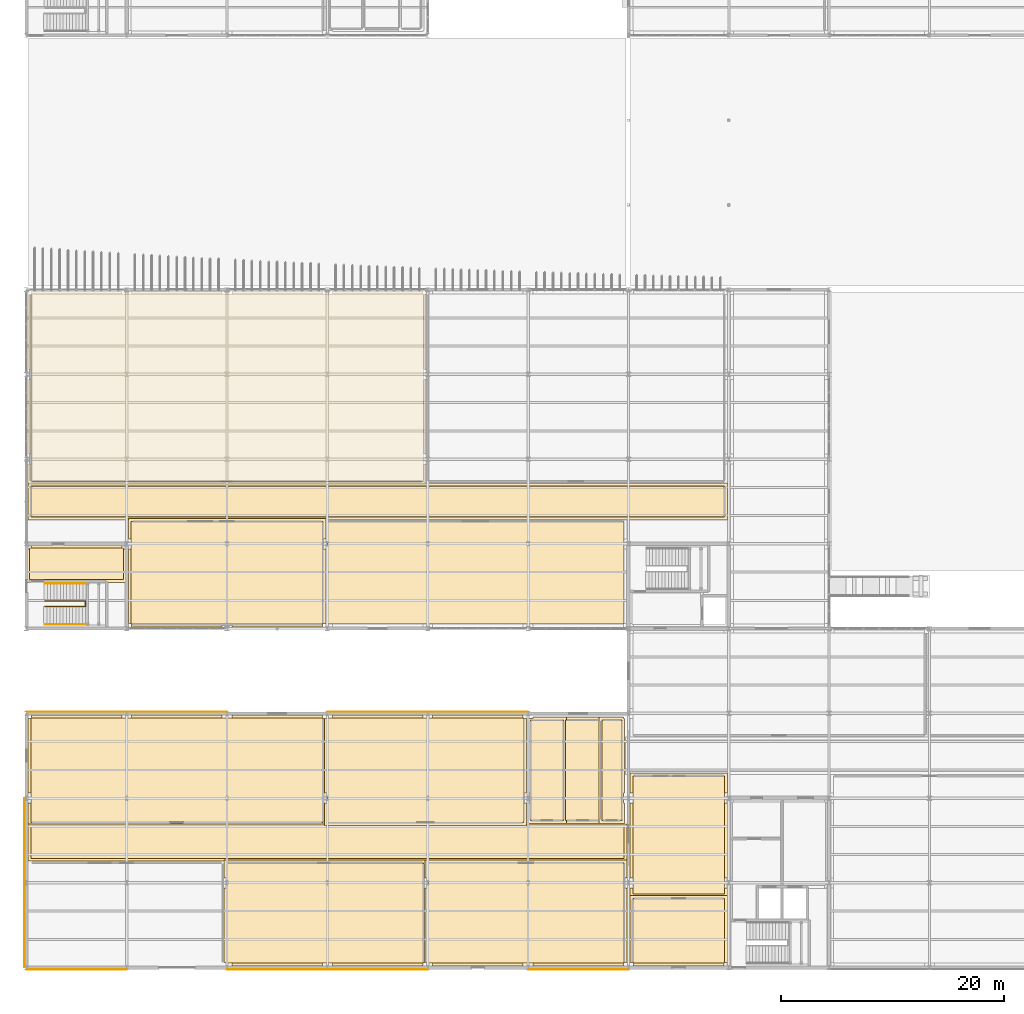
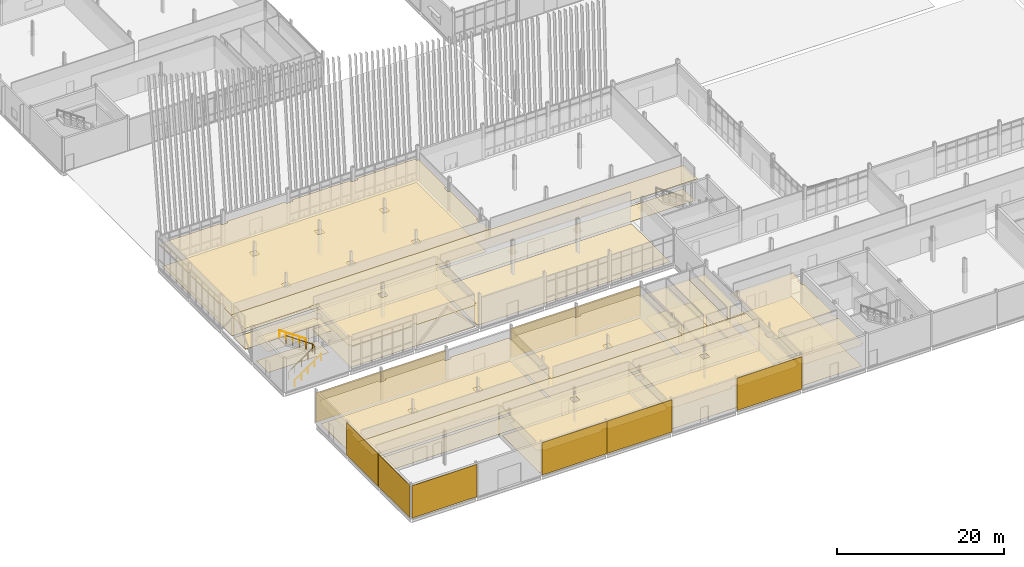
# One storey, part 152 of 161: 39 coverings, 3 railings.
"""IFC4 building model written with IfcOpenShell, lengths in metres."""

from ifc_helpers import new_model, si_unit, direction, frame, origin, origin_2d, place, context, subcontext, project, spatial, polyline, rectangle, circle, outline, extrude, material, layer, layer_set, type_object, element, save


model = new_model("IFC4")

# Units and contexts
model_context = context("Model", 3, precision=1e-05, world=origin(), true_north=direction((0.0, 1.0)))
body_context = subcontext(model_context, "Body", "Model", "MODEL_VIEW")
ifc_project = project(units=[si_unit("LENGTHUNIT", "METRE"), si_unit("AREAUNIT", "SQUARE_METRE"), si_unit("VOLUMEUNIT", "CUBIC_METRE"), si_unit("PLANEANGLEUNIT", "RADIAN"), si_unit("MASSUNIT", "GRAM", prefix="KILO")], contexts=[model_context])

# Site, building, storey
site_placement = place(None, origin())
site = spatial("IfcSite", under=ifc_project, at=site_placement, CompositionType="ELEMENT")
building_placement = place(site_placement, origin())
building = spatial("IfcBuilding", under=site, at=building_placement, Name="Caisbarro Railhouse Central Library", CompositionType="ELEMENT")
storey_placement = place(building_placement, origin())
storey = spatial("IfcBuildingStorey", under=building, at=storey_placement, Name="L00", CompositionType="ELEMENT", Elevation=0.0)

# Coverings
ifc_material_1 = material(Name="Vertical ribbed zinc-aluminium metal panel", Category="aluminium")
ifc_layer_1 = layer(ifc_material_1, 0.0419921875, Name="Vertical ribbed zinc-aluminium metal panel")
ifc_layer_set_1 = layer_set([ifc_layer_1], Name="Vertical ribbed zinc-aluminium metal panel")
covering_type_1 = type_object("IfcCoveringType", Name="CLD-MTL01", PredefinedType="CLADDING", material=ifc_layer_set_1)
covering_1_placement = place(storey_placement, frame((4.5, -0.1650390625, 0.02978515625), z_axis=(0.0, 0.0, 1.0), x_axis=(1.0, 0.0, 0.0)))
element("IfcCovering", 1, at=covering_1_placement, inside=storey, type_object=covering_type_1, Name="MTL01 facade cladding L00-001", PredefinedType="CLADDING", context=body_context, shape_type="SweptSolid", body=[
    extrude(rectangle(XDim=8.9599609375, YDim=0.0419921875, at=origin_2d()), origin(), (0.0, 0.0, 1.0), 4.739990234375),
])
for number, where, z_axis, x_axis, name in (
    (2, (4.5, 22.945068359375, 0.030029296875), (0.0, 0.0, 1.0), (1.0, 0.0, 0.0), "MTL01 facade cladding L00-002"),
    (3, (13.5, 22.945068359375, 0.030029296875), (0.0, 0.0, 1.0), (1.0, 0.0, 0.0), "MTL01 facade cladding L00-003"),
):
    element("IfcCovering", number, at=place(storey_placement, frame(where, z_axis=z_axis, x_axis=x_axis)), inside=storey, type_object=covering_type_1, Name=name, PredefinedType="CLADDING", context=body_context, shape_type="SweptSolid", body=[
        extrude(rectangle(XDim=8.9599609375, YDim=0.0419921875, at=origin_2d()), origin(), (0.0, 0.0, 1.0), 4.31103515625),
    ])
for number, where, z_axis, x_axis, name in (
    (4, (22.5, -0.1650390625, 0.02978515625), (0.0, 0.0, 1.0), (1.0, 0.0, 0.0), "MTL01 facade cladding L00-004"),
    (5, (31.5, -0.1650390625, 0.02978515625), (0.0, 0.0, 1.0), (1.0, 0.0, 0.0), "MTL01 facade cladding L00-005"),
):
    element("IfcCovering", number, at=place(storey_placement, frame(where, z_axis=z_axis, x_axis=x_axis)), inside=storey, type_object=covering_type_1, Name=name, PredefinedType="CLADDING", context=body_context, shape_type="SweptSolid", body=[
        extrude(rectangle(XDim=8.9599609375, YDim=0.0419921875, at=origin_2d()), origin(), (0.0, 0.0, 1.0), 4.739990234375),
    ])
for number, where, z_axis, x_axis, name in (
    (6, (31.5, 22.945068359375, 0.030029296875), (0.0, 0.0, 1.0), (1.0, 0.0, 0.0), "MTL01 facade cladding L00-006"),
    (7, (40.5, 22.945068359375, 0.030029296875), (0.0, 0.0, 1.0), (1.0, 0.0, 0.0), "MTL01 facade cladding L00-007"),
):
    element("IfcCovering", number, at=place(storey_placement, frame(where, z_axis=z_axis, x_axis=x_axis)), inside=storey, type_object=covering_type_1, Name=name, PredefinedType="CLADDING", context=body_context, shape_type="SweptSolid", body=[
        extrude(rectangle(XDim=8.9599609375, YDim=0.0419921875, at=origin_2d()), origin(), (0.0, 0.0, 1.0), 4.31103515625),
    ])
covering_2_placement = place(storey_placement, frame((49.5, -0.1650390625, 0.02978515625), z_axis=(0.0, 0.0, 1.0), x_axis=(1.0, 0.0, 0.0)))
element("IfcCovering", 8, at=covering_2_placement, inside=storey, type_object=covering_type_1, Name="MTL01 facade cladding L00-008", PredefinedType="CLADDING", context=body_context, shape_type="SweptSolid", body=[
    extrude(rectangle(XDim=8.9599609375, YDim=0.0419921875, at=origin_2d()), origin(), (0.0, 0.0, 1.0), 4.739990234375),
])
for number, where, z_axis, x_axis, name in (
    (9, (-0.155029296875, 3.800048828125, 0.02978515625), (0.0, 0.0, 1.0), (0.0, 1.0, 0.0), "MTL01 facade cladding L00-009"),
    (10, (-0.155029296875, 11.39990234375, 0.02978515625), (0.0, 0.0, 1.0), (0.0, 1.0, 0.0), "MTL01 facade cladding L00-010"),
):
    element("IfcCovering", number, at=place(storey_placement, frame(where, z_axis=z_axis, x_axis=x_axis)), inside=storey, type_object=covering_type_1, Name=name, PredefinedType="CLADDING", context=body_context, shape_type="SweptSolid", body=[
        extrude(rectangle(XDim=7.56005859375, YDim=0.0419921875, at=origin_2d()), origin(), (0.0, 0.0, 1.0), 4.739990234375),
    ])
ifc_material_2 = material(Name="Perforated mineral-fibre acoustic ceiling tile")
ifc_layer_2 = layer(ifc_material_2, 0.01806640625, Name="Perforated mineral-fibre acoustic ceiling tile")
ifc_layer_set_2 = layer_set([ifc_layer_2], Name="Perforated mineral-fibre acoustic ceiling tile")
covering_type_2 = type_object("IfcCoveringType", Name="COV-CL01", PredefinedType="CEILING", material=ifc_layer_set_2)
covering_3_placement = place(storey_placement, frame((0.0, 0.0, 3.25)))
element("IfcCovering", 11, at=covering_3_placement, inside=storey, type_object=covering_type_2, Name="CL01 acoustic ceiling Stair Lobby K6", PredefinedType="CEILING", context=body_context, shape_type="SweptSolid", body=[
    extrude(outline(polyline([(0.43994140625, 37.56005859375), (0.43994140625, 37.909912109375), (8.56005859375, 37.909912109375), (8.56005859375, 37.56005859375), (8.9599609375, 37.56005859375), (8.9599609375, 34.5400390625), (0.0400390625, 34.5400390625), (0.0400390625, 37.56005859375), (0.43994140625, 37.56005859375)])), origin(), (0.0, 0.0, 1.0), 0.01806640625),
])
covering_4_placement = place(storey_placement, frame((0.0, 0.0, 3.25)))
element("IfcCovering", 12, at=covering_4_placement, inside=storey, type_object=covering_type_2, Name="CL01 acoustic ceiling Book Sorting and Returned-Items Hall", PredefinedType="CEILING", context=body_context, shape_type="SweptSolid", body=[
    extrude(outline(polyline([(26.56005859375, 0.43994140625), (26.56005859375, 0.139892578125), (18.43994140625, 0.139892578125), (18.43994140625, 0.43994140625), (17.739990234375, 0.43994140625), (17.739990234375, 7.159912109375), (18.43994140625, 7.159912109375), (18.43994140625, 8.0400390625), (17.739990234375, 8.0400390625), (17.739990234375, 9.659912109375), (35.860107421875, 9.659912109375), (35.860107421875, 8.0400390625), (35.56005859375, 8.0400390625), (35.56005859375, 7.159912109375), (35.860107421875, 7.159912109375), (35.860107421875, 0.43994140625), (35.56005859375, 0.43994140625), (35.56005859375, 0.139892578125), (27.43994140625, 0.139892578125), (27.43994140625, 0.43994140625), (26.56005859375, 0.43994140625)]), holes=[polyline([(26.56005859375, 7.159912109375), (27.43994140625, 7.159912109375), (27.43994140625, 8.0400390625), (26.56005859375, 8.0400390625), (26.56005859375, 7.159912109375)])]), origin(), (0.0, 0.0, 1.0), 0.01806640625),
])
covering_5_placement = place(storey_placement, frame((0.0, 0.0, 3.25)))
element("IfcCovering", 13, at=covering_5_placement, inside=storey, type_object=covering_type_2, Name="CL01 acoustic ceiling Acquisitions and Cataloguing Office", PredefinedType="CEILING", context=body_context, shape_type="SweptSolid", body=[
    extrude(outline(polyline([(44.56005859375, 0.43994140625), (44.56005859375, 0.139892578125), (36.43994140625, 0.139892578125), (36.43994140625, 0.43994140625), (35.739990234375, 0.43994140625), (35.739990234375, 7.159912109375), (36.43994140625, 7.159912109375), (36.43994140625, 8.0400390625), (35.739990234375, 8.0400390625), (35.739990234375, 9.659912109375), (53.860107421875, 9.659912109375), (53.860107421875, 8.0400390625), (53.56005859375, 8.0400390625), (53.56005859375, 7.159912109375), (53.860107421875, 7.159912109375), (53.860107421875, 0.43994140625), (53.56005859375, 0.43994140625), (53.56005859375, 0.139892578125), (45.43994140625, 0.139892578125), (45.43994140625, 0.43994140625), (44.56005859375, 0.43994140625)]), holes=[polyline([(44.56005859375, 7.159912109375), (45.43994140625, 7.159912109375), (45.43994140625, 8.0400390625), (44.56005859375, 8.0400390625), (44.56005859375, 7.159912109375)])]), origin(), (0.0, 0.0, 1.0), 0.01806640625),
])
covering_6_placement = place(storey_placement, frame((0.0, 0.0, 3.25)))
element("IfcCovering", 14, at=covering_6_placement, inside=storey, type_object=covering_type_2, Name="CL01 acoustic ceiling Staff Ground Corridor West", PredefinedType="CEILING", context=body_context, shape_type="SweptSolid", body=[
    extrude(outline(polyline([(0.139892578125, 9.5400390625), (0.139892578125, 12.860107421875), (53.860107421875, 12.860107421875), (53.860107421875, 9.5400390625), (0.139892578125, 9.5400390625)])), origin(), (0.0, 0.0, 1.0), 0.01806640625),
])
covering_7_placement = place(storey_placement, frame((0.0, 0.0, 3.25)))
element("IfcCovering", 15, at=covering_7_placement, inside=storey, type_object=covering_type_2, Name="CL01 acoustic ceiling Closed Archival Stacks West", PredefinedType="CEILING", context=body_context, shape_type="SweptSolid", body=[
    extrude(outline(polyline([(8.56005859375, 22.659912109375), (8.56005859375, 22.360107421875), (9.43994140625, 22.360107421875), (9.43994140625, 22.659912109375), (17.56005859375, 22.659912109375), (17.56005859375, 22.360107421875), (18.43994140625, 22.360107421875), (18.43994140625, 22.659912109375), (26.56005859375, 22.659912109375), (26.56005859375, 22.360107421875), (26.860107421875, 22.360107421875), (26.860107421875, 15.639892578125), (26.56005859375, 15.639892578125), (26.56005859375, 14.760009765625), (26.860107421875, 14.760009765625), (26.860107421875, 12.739990234375), (0.139892578125, 12.739990234375), (0.139892578125, 14.760009765625), (0.43994140625, 14.760009765625), (0.43994140625, 15.639892578125), (0.139892578125, 15.639892578125), (0.139892578125, 22.360107421875), (0.43994140625, 22.360107421875), (0.43994140625, 22.659912109375), (8.56005859375, 22.659912109375)]), holes=[polyline([(8.56005859375, 15.639892578125), (8.56005859375, 14.760009765625), (9.43994140625, 14.760009765625), (9.43994140625, 15.639892578125), (8.56005859375, 15.639892578125)]), polyline([(18.43994140625, 14.760009765625), (18.43994140625, 15.639892578125), (17.56005859375, 15.639892578125), (17.56005859375, 14.760009765625), (18.43994140625, 14.760009765625)])]), origin(), (0.0, 0.0, 1.0), 0.01806640625),
])
covering_8_placement = place(storey_placement, frame((0.0, 0.0, 3.25)))
element("IfcCovering", 16, at=covering_8_placement, inside=storey, type_object=covering_type_2, Name="CL01 acoustic ceiling Staff Cataloguing Workroom", PredefinedType="CEILING", context=body_context, shape_type="SweptSolid", body=[
    extrude(outline(polyline([(27.43994140625, 22.360107421875), (27.43994140625, 22.659912109375), (35.56005859375, 22.659912109375), (35.56005859375, 22.360107421875), (36.43994140625, 22.360107421875), (36.43994140625, 22.659912109375), (44.56005859375, 22.659912109375), (44.56005859375, 22.360107421875), (44.860107421875, 22.360107421875), (44.860107421875, 15.639892578125), (44.56005859375, 15.639892578125), (44.56005859375, 14.760009765625), (44.860107421875, 14.760009765625), (44.860107421875, 12.739990234375), (26.739990234375, 12.739990234375), (26.739990234375, 14.760009765625), (27.43994140625, 14.760009765625), (27.43994140625, 15.639892578125), (26.739990234375, 15.639892578125), (26.739990234375, 22.360107421875), (27.43994140625, 22.360107421875)]), holes=[polyline([(36.43994140625, 14.760009765625), (36.43994140625, 15.639892578125), (35.56005859375, 15.639892578125), (35.56005859375, 14.760009765625), (36.43994140625, 14.760009765625)])]), origin(), (0.0, 0.0, 1.0), 0.01806640625),
])
covering_9_placement = place(storey_placement, frame((0.0, 0.0, 3.25)))
element("IfcCovering", 17, at=covering_9_placement, inside=storey, type_object=covering_type_2, Name="CL01 acoustic ceiling Male WC L00-W", PredefinedType="CEILING", context=body_context, shape_type="SweptSolid", body=[
    extrude(outline(polyline([(45.43994140625, 14.760009765625), (45.43994140625, 15.639892578125), (44.93994140625, 15.639892578125), (44.93994140625, 22.360107421875), (45.43994140625, 22.360107421875), (45.43994140625, 22.4599609375), (48.427978515625, 22.4599609375), (48.427978515625, 12.93994140625), (44.93994140625, 12.93994140625), (44.93994140625, 14.760009765625), (45.43994140625, 14.760009765625)])), origin(), (0.0, 0.0, 1.0), 0.01806640625),
])
covering_10_placement = place(storey_placement, frame((0.0, 0.0, 3.25)))
element("IfcCovering", 18, at=covering_10_placement, inside=storey, type_object=covering_type_2, Name="CL01 acoustic ceiling Female WC L00-W", PredefinedType="CEILING", context=body_context, shape_type="SweptSolid", body=[
    extrude(outline(polyline([(48.10791015625, 12.93994140625), (48.10791015625, 22.4599609375), (51.696044921875, 22.4599609375), (51.696044921875, 12.93994140625), (48.10791015625, 12.93994140625)])), origin(), (0.0, 0.0, 1.0), 0.01806640625),
])
covering_11_placement = place(storey_placement, frame((0.0, 0.0, 3.25)))
element("IfcCovering", 19, at=covering_11_placement, inside=storey, type_object=covering_type_2, Name="CL01 acoustic ceiling Accessible WC L00-W", PredefinedType="CEILING", context=body_context, shape_type="SweptSolid", body=[
    extrude(outline(polyline([(53.56005859375, 22.4599609375), (53.56005859375, 22.360107421875), (53.659912109375, 22.360107421875), (53.659912109375, 15.639892578125), (53.56005859375, 15.639892578125), (53.56005859375, 14.760009765625), (53.659912109375, 14.760009765625), (53.659912109375, 12.93994140625), (51.3759765625, 12.93994140625), (51.3759765625, 22.4599609375), (53.56005859375, 22.4599609375)])), origin(), (0.0, 0.0, 1.0), 0.01806640625),
])
covering_12_placement = place(storey_placement, frame((0.0, 0.0, 3.25)))
element("IfcCovering", 20, at=covering_12_placement, inside=storey, type_object=covering_type_2, Name="CL01 acoustic ceiling Fire Command Centre", PredefinedType="CEILING", context=body_context, shape_type="SweptSolid", body=[
    extrude(outline(polyline([(62.860107421875, 6.4599609375), (62.860107421875, 0.43994140625), (62.56005859375, 0.43994140625), (62.56005859375, 0.139892578125), (54.43994140625, 0.139892578125), (54.43994140625, 0.43994140625), (54.139892578125, 0.43994140625), (54.139892578125, 6.4599609375), (62.860107421875, 6.4599609375)])), origin(), (0.0, 0.0, 1.0), 0.01806640625),
])
covering_13_placement = place(storey_placement, frame((0.0, 0.0, 3.25)))
element("IfcCovering", 21, at=covering_13_placement, inside=storey, type_object=covering_type_2, Name="CL01 acoustic ceiling Security and BMS Control Room", PredefinedType="CEILING", context=body_context, shape_type="SweptSolid", body=[
    extrude(outline(polyline([(54.139892578125, 8.0400390625), (54.139892578125, 14.760009765625), (54.43994140625, 14.760009765625), (54.43994140625, 15.639892578125), (54.139892578125, 15.639892578125), (54.139892578125, 17.4599609375), (62.860107421875, 17.4599609375), (62.860107421875, 15.639892578125), (62.56005859375, 15.639892578125), (62.56005859375, 14.760009765625), (62.860107421875, 14.760009765625), (62.860107421875, 8.0400390625), (62.56005859375, 8.0400390625), (62.56005859375, 7.159912109375), (62.860107421875, 7.159912109375), (62.860107421875, 6.340087890625), (54.139892578125, 6.340087890625), (54.139892578125, 7.159912109375), (54.43994140625, 7.159912109375), (54.43994140625, 8.0400390625), (54.139892578125, 8.0400390625)])), origin(), (0.0, 0.0, 1.0), 0.01806640625),
])
covering_14_placement = place(storey_placement, frame((0.0, 0.0, 3.25)))
element("IfcCovering", 22, at=covering_14_placement, inside=storey, type_object=covering_type_2, Name="CL01 acoustic ceiling Main Hall Concourse Corridor", PredefinedType="CEILING", context=body_context, shape_type="SweptSolid", body=[
    extrude(outline(polyline([(0.139892578125, 40.139892578125), (0.139892578125, 43.4599609375), (62.860107421875, 43.4599609375), (62.860107421875, 40.139892578125), (0.139892578125, 40.139892578125)])), origin(), (0.0, 0.0, 1.0), 0.01806640625),
])
covering_15_placement = place(storey_placement, frame((0.0, 0.0, 3.25)))
element("IfcCovering", 23, at=covering_15_placement, inside=storey, type_object=covering_type_2, Name="CL01 acoustic ceiling Periodicals and Newspaper Lounge", PredefinedType="CEILING", context=body_context, shape_type="SweptSolid", body=[
    extrude(outline(polyline([(9.43994140625, 60.659912109375), (17.56005859375, 60.659912109375), (17.56005859375, 60.360107421875), (18.43994140625, 60.360107421875), (18.43994140625, 60.659912109375), (26.56005859375, 60.659912109375), (26.56005859375, 60.360107421875), (27.43994140625, 60.360107421875), (27.43994140625, 60.659912109375), (35.56005859375, 60.659912109375), (35.56005859375, 60.360107421875), (35.860107421875, 60.360107421875), (35.860107421875, 53.639892578125), (35.56005859375, 53.639892578125), (35.56005859375, 52.760009765625), (35.860107421875, 52.760009765625), (35.860107421875, 46.0400390625), (35.56005859375, 46.0400390625), (35.56005859375, 45.159912109375), (35.860107421875, 45.159912109375), (35.860107421875, 43.340087890625), (0.139892578125, 43.340087890625), (0.139892578125, 45.159912109375), (0.43994140625, 45.159912109375), (0.43994140625, 46.0400390625), (0.139892578125, 46.0400390625), (0.139892578125, 52.760009765625), (0.43994140625, 52.760009765625), (0.43994140625, 53.639892578125), (0.139892578125, 53.639892578125), (0.139892578125, 60.360107421875), (0.43994140625, 60.360107421875), (0.43994140625, 60.659912109375), (8.56005859375, 60.659912109375), (8.56005859375, 60.360107421875), (9.43994140625, 60.360107421875), (9.43994140625, 60.659912109375)]), holes=[polyline([(9.43994140625, 45.159912109375), (9.43994140625, 46.0400390625), (8.56005859375, 46.0400390625), (8.56005859375, 45.159912109375), (9.43994140625, 45.159912109375)]), polyline([(8.56005859375, 52.760009765625), (9.43994140625, 52.760009765625), (9.43994140625, 53.639892578125), (8.56005859375, 53.639892578125), (8.56005859375, 52.760009765625)]), polyline([(18.43994140625, 46.0400390625), (17.56005859375, 46.0400390625), (17.56005859375, 45.159912109375), (18.43994140625, 45.159912109375), (18.43994140625, 46.0400390625)]), polyline([(18.43994140625, 52.760009765625), (18.43994140625, 53.639892578125), (17.56005859375, 53.639892578125), (17.56005859375, 52.760009765625), (18.43994140625, 52.760009765625)]), polyline([(26.56005859375, 46.0400390625), (26.56005859375, 45.159912109375), (27.43994140625, 45.159912109375), (27.43994140625, 46.0400390625), (26.56005859375, 46.0400390625)]), polyline([(27.43994140625, 53.639892578125), (26.56005859375, 53.639892578125), (26.56005859375, 52.760009765625), (27.43994140625, 52.760009765625), (27.43994140625, 53.639892578125)])]), origin(), (0.0, 0.0, 1.0), 0.01806640625),
])
ifc_material_3 = material(Name="Slatted acoustic timber baffle ceiling", Category="wood")
ifc_layer_3 = layer(ifc_material_3, 0.031982421875, Name="Slatted acoustic timber baffle ceiling")
ifc_layer_set_3 = layer_set([ifc_layer_3], Name="Slatted acoustic timber baffle ceiling")
covering_type_3 = type_object("IfcCoveringType", Name="COV-CL02", PredefinedType="CEILING", material=ifc_layer_set_3)
covering_16_placement = place(storey_placement, frame((0.0, 0.0, 3.25)))
element("IfcCovering", 24, at=covering_16_placement, inside=storey, type_object=covering_type_3, Name="CL02 acoustic ceiling Braille and Accessible Media Reading Room", PredefinedType="CEILING", context=body_context, shape_type="SweptSolid", body=[
    extrude(outline(polyline([(17.56005859375, 30.840087890625), (17.56005859375, 30.5400390625), (9.43994140625, 30.5400390625), (9.43994140625, 30.840087890625), (9.139892578125, 30.840087890625), (9.139892578125, 37.56005859375), (9.43994140625, 37.56005859375), (9.43994140625, 38.43994140625), (9.139892578125, 38.43994140625), (9.139892578125, 40.260009765625), (26.860107421875, 40.260009765625), (26.860107421875, 38.43994140625), (26.56005859375, 38.43994140625), (26.56005859375, 37.56005859375), (26.860107421875, 37.56005859375), (26.860107421875, 30.840087890625), (26.56005859375, 30.840087890625), (26.56005859375, 30.5400390625), (18.43994140625, 30.5400390625), (18.43994140625, 30.840087890625), (17.56005859375, 30.840087890625)]), holes=[polyline([(17.56005859375, 37.56005859375), (18.43994140625, 37.56005859375), (18.43994140625, 38.43994140625), (17.56005859375, 38.43994140625), (17.56005859375, 37.56005859375)])]), origin(), (0.0, 0.0, 1.0), 0.031982421875),
])
ifc_material_4 = material(Name="Polished cementitious terrazzo flooring")
ifc_layer_4 = layer(ifc_material_4, 0.02197265625, Name="Polished cementitious terrazzo flooring")
ifc_layer_set_4 = layer_set([ifc_layer_4], Name="Polished cementitious terrazzo flooring")
covering_type_4 = type_object("IfcCoveringType", Name="COV-FL01", PredefinedType="FLOORING", material=ifc_layer_set_4)
covering_17_placement = place(storey_placement, origin())
element("IfcCovering", 25, at=covering_17_placement, inside=storey, type_object=covering_type_4, Name="FL01 flooring Stair Lobby K6", PredefinedType="FLOORING", context=body_context, shape_type="SweptSolid", body=[
    extrude(outline(polyline([(0.300048828125, 34.800048828125), (8.699951171875, 34.800048828125), (8.699951171875, 37.64990234375), (0.300048828125, 37.64990234375), (0.300048828125, 34.800048828125)])), origin(), (0.0, 0.0, 1.0), 0.02197265625),
])
covering_18_placement = place(storey_placement, origin())
element("IfcCovering", 26, at=covering_18_placement, inside=storey, type_object=covering_type_4, Name="FL01 flooring Book Sorting and Returned-Items Hall", PredefinedType="FLOORING", context=body_context, shape_type="SweptSolid", body=[
    extrude(outline(polyline([(18.0, 0.39990234375), (35.60009765625, 0.39990234375), (35.60009765625, 9.39990234375), (18.0, 9.39990234375), (18.0, 0.39990234375)])), origin(), (0.0, 0.0, 1.0), 0.02197265625),
])
covering_19_placement = place(storey_placement, origin())
element("IfcCovering", 27, at=covering_19_placement, inside=storey, type_object=covering_type_4, Name="FL01 flooring Staff Ground Corridor West", PredefinedType="FLOORING", context=body_context, shape_type="SweptSolid", body=[
    extrude(outline(polyline([(0.39990234375, 9.800048828125), (53.60009765625, 9.800048828125), (53.60009765625, 12.60009765625), (0.39990234375, 12.60009765625), (0.39990234375, 9.800048828125)])), origin(), (0.0, 0.0, 1.0), 0.02197265625),
])
covering_20_placement = place(storey_placement, origin())
element("IfcCovering", 28, at=covering_20_placement, inside=storey, type_object=covering_type_4, Name="FL01 flooring Main Hall Concourse Corridor", PredefinedType="FLOORING", context=body_context, shape_type="SweptSolid", body=[
    extrude(outline(polyline([(0.39990234375, 40.39990234375), (62.60009765625, 40.39990234375), (62.60009765625, 43.199951171875), (0.39990234375, 43.199951171875), (0.39990234375, 40.39990234375)])), origin(), (0.0, 0.0, 1.0), 0.02197265625),
])
ifc_material_5 = material(Name="Heavy-duty acoustic linoleum flooring")
ifc_layer_5 = layer(ifc_material_5, 0.011962890625, Name="Heavy-duty acoustic linoleum flooring")
ifc_layer_set_5 = layer_set([ifc_layer_5], Name="Heavy-duty acoustic linoleum flooring")
covering_type_5 = type_object("IfcCoveringType", Name="COV-FL02", PredefinedType="FLOORING", material=ifc_layer_set_5)
covering_21_placement = place(storey_placement, origin())
element("IfcCovering", 29, at=covering_21_placement, inside=storey, type_object=covering_type_5, Name="FL02 flooring Acquisitions and Cataloguing Office", PredefinedType="FLOORING", context=body_context, shape_type="SweptSolid", body=[
    extrude(outline(polyline([(36.0, 0.39990234375), (53.60009765625, 0.39990234375), (53.60009765625, 9.39990234375), (36.0, 9.39990234375), (36.0, 0.39990234375)])), origin(), (0.0, 0.0, 1.0), 0.011962890625),
])
covering_22_placement = place(storey_placement, origin())
element("IfcCovering", 30, at=covering_22_placement, inside=storey, type_object=covering_type_5, Name="FL02 flooring Closed Archival Stacks West", PredefinedType="FLOORING", context=body_context, shape_type="SweptSolid", body=[
    extrude(outline(polyline([(0.39990234375, 13.0), (26.60009765625, 13.0), (26.60009765625, 22.39990234375), (0.39990234375, 22.39990234375), (0.39990234375, 13.0)])), origin(), (0.0, 0.0, 1.0), 0.011962890625),
])
covering_23_placement = place(storey_placement, origin())
element("IfcCovering", 31, at=covering_23_placement, inside=storey, type_object=covering_type_5, Name="FL02 flooring Staff Cataloguing Workroom", PredefinedType="FLOORING", context=body_context, shape_type="SweptSolid", body=[
    extrude(outline(polyline([(27.0, 13.0), (44.60009765625, 13.0), (44.60009765625, 22.39990234375), (27.0, 22.39990234375), (27.0, 13.0)])), origin(), (0.0, 0.0, 1.0), 0.011962890625),
])
covering_24_placement = place(storey_placement, origin())
element("IfcCovering", 32, at=covering_24_placement, inside=storey, type_object=covering_type_5, Name="FL02 flooring Male WC L00-W", PredefinedType="FLOORING", context=body_context, shape_type="SweptSolid", body=[
    extrude(outline(polyline([(45.199951171875, 13.199951171875), (48.16796875, 13.199951171875), (48.16796875, 22.199951171875), (45.199951171875, 22.199951171875), (45.199951171875, 13.199951171875)])), origin(), (0.0, 0.0, 1.0), 0.011962890625),
])
covering_25_placement = place(storey_placement, origin())
element("IfcCovering", 33, at=covering_25_placement, inside=storey, type_object=covering_type_5, Name="FL02 flooring Female WC L00-W", PredefinedType="FLOORING", context=body_context, shape_type="SweptSolid", body=[
    extrude(outline(polyline([(48.367919921875, 13.199951171875), (51.43603515625, 13.199951171875), (51.43603515625, 22.199951171875), (48.367919921875, 22.199951171875), (48.367919921875, 13.199951171875)])), origin(), (0.0, 0.0, 1.0), 0.011962890625),
])
covering_26_placement = place(storey_placement, origin())
element("IfcCovering", 34, at=covering_26_placement, inside=storey, type_object=covering_type_5, Name="FL02 flooring Accessible WC L00-W", PredefinedType="FLOORING", context=body_context, shape_type="SweptSolid", body=[
    extrude(outline(polyline([(51.635986328125, 13.199951171875), (53.39990234375, 13.199951171875), (53.39990234375, 22.199951171875), (51.635986328125, 22.199951171875), (51.635986328125, 13.199951171875)])), origin(), (0.0, 0.0, 1.0), 0.011962890625),
])
covering_27_placement = place(storey_placement, origin())
element("IfcCovering", 35, at=covering_27_placement, inside=storey, type_object=covering_type_5, Name="FL02 flooring Fire Command Centre", PredefinedType="FLOORING", context=body_context, shape_type="SweptSolid", body=[
    extrude(outline(polyline([(54.39990234375, 0.39990234375), (62.60009765625, 0.39990234375), (62.60009765625, 6.199951171875), (54.39990234375, 6.199951171875), (54.39990234375, 0.39990234375)])), origin(), (0.0, 0.0, 1.0), 0.011962890625),
])
covering_28_placement = place(storey_placement, origin())
element("IfcCovering", 36, at=covering_28_placement, inside=storey, type_object=covering_type_5, Name="FL02 flooring Security and BMS Control Room", PredefinedType="FLOORING", context=body_context, shape_type="SweptSolid", body=[
    extrude(outline(polyline([(54.39990234375, 6.60009765625), (62.60009765625, 6.60009765625), (62.60009765625, 17.199951171875), (54.39990234375, 17.199951171875), (54.39990234375, 6.60009765625)])), origin(), (0.0, 0.0, 1.0), 0.011962890625),
])
covering_29_placement = place(storey_placement, origin())
element("IfcCovering", 37, at=covering_29_placement, inside=storey, type_object=covering_type_5, Name="FL02 flooring Braille and Accessible Media Reading Room", PredefinedType="FLOORING", context=body_context, shape_type="SweptSolid", body=[
    extrude(outline(polyline([(9.39990234375, 30.800048828125), (26.60009765625, 30.800048828125), (26.60009765625, 40.0), (9.39990234375, 40.0), (9.39990234375, 30.800048828125)])), origin(), (0.0, 0.0, 1.0), 0.011962890625),
])
covering_30_placement = place(storey_placement, origin())
element("IfcCovering", 38, at=covering_30_placement, inside=storey, type_object=covering_type_5, Name="FL02 flooring Civic Exhibition Gallery", PredefinedType="FLOORING", context=body_context, shape_type="SweptSolid", body=[
    extrude(outline(polyline([(27.0, 30.800048828125), (53.60009765625, 30.800048828125), (53.60009765625, 40.0), (27.0, 40.0), (27.0, 30.800048828125)])), origin(), (0.0, 0.0, 1.0), 0.011962890625),
])
covering_31_placement = place(storey_placement, origin())
element("IfcCovering", 39, at=covering_31_placement, inside=storey, type_object=covering_type_5, Name="FL02 flooring Periodicals and Newspaper Lounge", PredefinedType="FLOORING", context=body_context, shape_type="SweptSolid", body=[
    extrude(outline(polyline([(0.39990234375, 43.60009765625), (35.60009765625, 43.60009765625), (35.60009765625, 60.39990234375), (0.39990234375, 60.39990234375), (0.39990234375, 43.60009765625)])), origin(), (0.0, 0.0, 1.0), 0.011962890625),
])

# Railings
ifc_material_6 = material(Name="Brushed stainless steel Grade 316", Category="steel")
railing_type_1 = type_object("IfcRailingType", Name="RLG-STR092", PredefinedType="HANDRAIL", material=ifc_material_6)
railing_1_placement = place(storey_placement, frame((1.64990234375, 30.7900390625, 0.0)))
element("IfcRailing", 40, at=railing_1_placement, inside=storey, type_object=railing_type_1, Name="Stair ST-06 Outer Handrail F1 L00", PredefinedType="HANDRAIL", context=body_context, shape_type="SweptSolid", body=[
    extrude(circle(Radius=0.02392578125, at=origin_2d()), frame((0.0, 0.0, 0.89599609375), z_axis=(0.824379387844, 0.0, 0.566037653251), x_axis=(0.0, 1.0, 0.0)), (0.0, 0.0, 1.0), 4.4521484375),
    extrude(circle(Radius=0.02099609375, at=origin_2d()), origin(), (0.0, 0.0, 1.0), 0.871826171875),
    extrude(circle(Radius=0.02099609375, at=origin_2d()), frame((0.91748046875, 0.0, 0.6298828125)), (0.0, 0.0, 1.0), 0.871826171875),
    extrude(circle(Radius=0.02099609375, at=origin_2d()), frame((1.8349609375, 0.0, 1.260009765625)), (0.0, 0.0, 1.0), 0.871826171875),
    extrude(circle(Radius=0.02099609375, at=origin_2d()), frame((2.752685546875, 0.0, 1.89013671875)), (0.0, 0.0, 1.0), 0.871826171875),
    extrude(circle(Radius=0.02099609375, at=origin_2d()), frame((3.670166015625, 0.0, 2.52001953125)), (0.0, 0.0, 1.0), 0.871826171875),
])
railing_2_placement = place(storey_placement, frame((5.320068359375, 34.4599609375, 2.52001953125)))
element("IfcRailing", 41, at=railing_2_placement, inside=storey, type_object=railing_type_1, Name="Stair ST-06 Outer Handrail F2 L00", PredefinedType="HANDRAIL", context=body_context, shape_type="SweptSolid", body=[
    extrude(circle(Radius=0.02392578125, at=origin_2d()), frame((0.0, 0.0, 0.89599609375), z_axis=(-0.824379387844, 0.0, 0.566037653251), x_axis=(0.0, -1.0, 0.0)), (0.0, 0.0, 1.0), 4.4521484375),
    extrude(circle(Radius=0.02099609375, at=origin_2d()), origin(), (0.0, 0.0, 1.0), 0.871826171875),
    extrude(circle(Radius=0.02099609375, at=origin_2d()), frame((-0.91748046875, 0.0, 0.6298828125)), (0.0, 0.0, 1.0), 0.871826171875),
    extrude(circle(Radius=0.02099609375, at=origin_2d()), frame((-1.8349609375, 0.0, 1.260009765625)), (0.0, 0.0, 1.0), 0.871826171875),
    extrude(circle(Radius=0.02099609375, at=origin_2d()), frame((-2.752685546875, 0.0, 1.89013671875)), (0.0, 0.0, 1.0), 0.871826171875),
    extrude(circle(Radius=0.02099609375, at=origin_2d()), frame((-3.670166015625, 0.0, 2.52001953125)), (0.0, 0.0, 1.0), 0.871826171875),
])
railing_type_2 = type_object("IfcRailingType", Name="RLG-STR110", PredefinedType="GUARDRAIL", material=ifc_material_6)
railing_3_placement = place(storey_placement, frame((1.64990234375, 32.3701171875, 0.0)))
element("IfcRailing", 42, at=railing_3_placement, inside=storey, type_object=railing_type_2, Name="Stair ST-06 Inner Well Guardrail L00", PredefinedType="GUARDRAIL", context=body_context, shape_type="SweptSolid", body=[
    extrude(circle(Radius=0.02392578125, at=origin_2d()), frame((0.0, 0.0, 1.076171875), z_axis=(0.824379387844, 0.0, 0.566037653251), x_axis=(0.0, 1.0, 0.0)), (0.0, 0.0, 1.0), 4.4521484375),
    extrude(circle(Radius=0.02392578125, at=origin_2d()), frame((3.670166015625, 0.0, 3.59619140625), z_axis=(0.0, 1.0, 0.0), x_axis=(-1.0, 0.0, 0.0)), (0.0, 0.0, 1.0), 0.509765625),
    extrude(circle(Radius=0.02392578125, at=origin_2d()), frame((3.670166015625, 0.509765625, 3.59619140625), z_axis=(-0.824379387844, 0.0, 0.566037653251), x_axis=(0.0, -1.0, 0.0)), (0.0, 0.0, 1.0), 4.4521484375),
    extrude(circle(Radius=0.02099609375, at=origin_2d()), origin(), (0.0, 0.0, 1.0), 1.052001953125),
    extrude(circle(Radius=0.02099609375, at=origin_2d()), frame((0.91748046875, 0.0, 0.6298828125)), (0.0, 0.0, 1.0), 1.052001953125),
    extrude(circle(Radius=0.02099609375, at=origin_2d()), frame((1.8349609375, 0.0, 1.260009765625)), (0.0, 0.0, 1.0), 1.052001953125),
    extrude(circle(Radius=0.02099609375, at=origin_2d()), frame((2.752685546875, 0.0, 1.89013671875)), (0.0, 0.0, 1.0), 1.052001953125),
    extrude(circle(Radius=0.02099609375, at=origin_2d()), frame((3.670166015625, 0.0, 2.52001953125)), (0.0, 0.0, 1.0), 1.052001953125),
    extrude(circle(Radius=0.02099609375, at=origin_2d()), frame((3.670166015625, 0.509765625, 2.52001953125)), (0.0, 0.0, 1.0), 1.052001953125),
    extrude(circle(Radius=0.02099609375, at=origin_2d()), frame((2.752685546875, 0.509765625, 3.14990234375)), (0.0, 0.0, 1.0), 1.052001953125),
    extrude(circle(Radius=0.02099609375, at=origin_2d()), frame((1.8349609375, 0.509765625, 3.780029296875)), (0.0, 0.0, 1.0), 1.052001953125),
    extrude(circle(Radius=0.02099609375, at=origin_2d()), frame((0.91748046875, 0.509765625, 4.41015625)), (0.0, 0.0, 1.0), 1.052001953125),
    extrude(circle(Radius=0.02099609375, at=origin_2d()), frame((0.0, 0.509765625, 5.0400390625)), (0.0, 0.0, 1.0), 1.052001953125),
])

save(model, "model.ifc")
